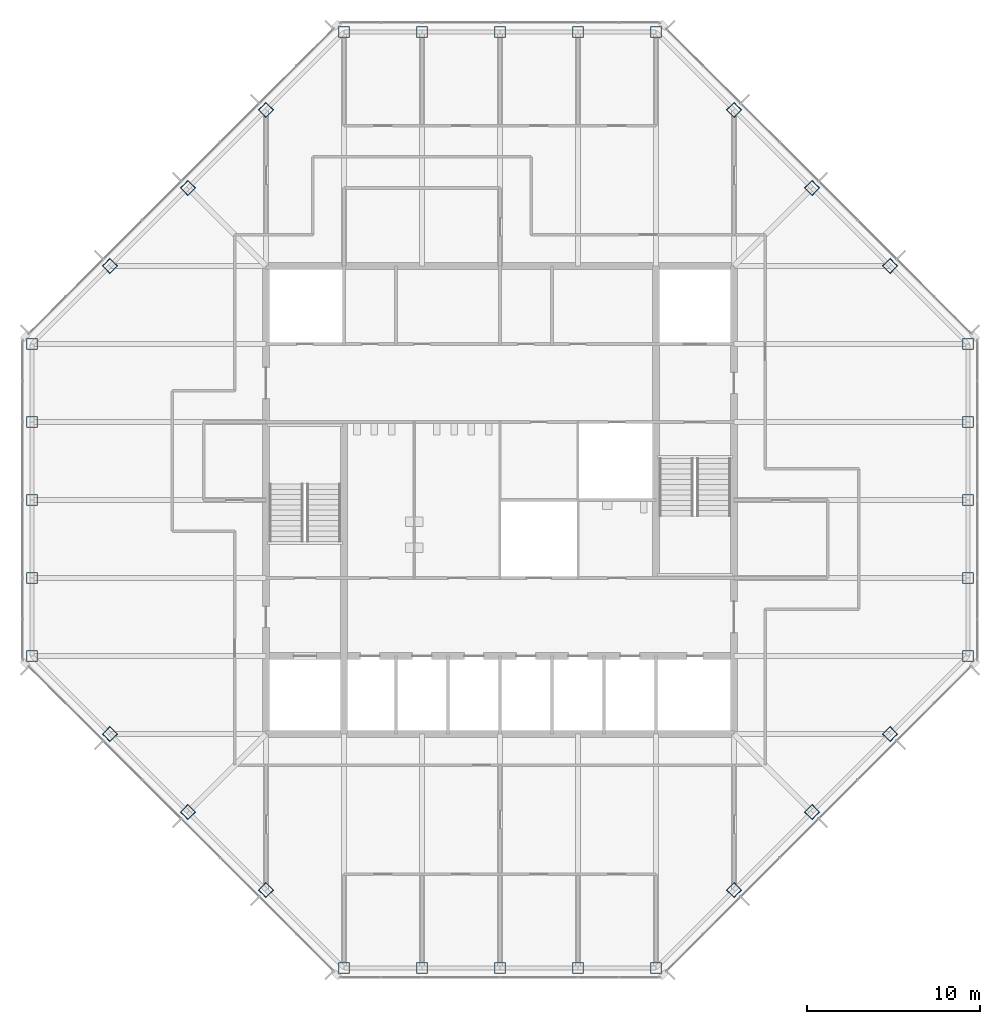
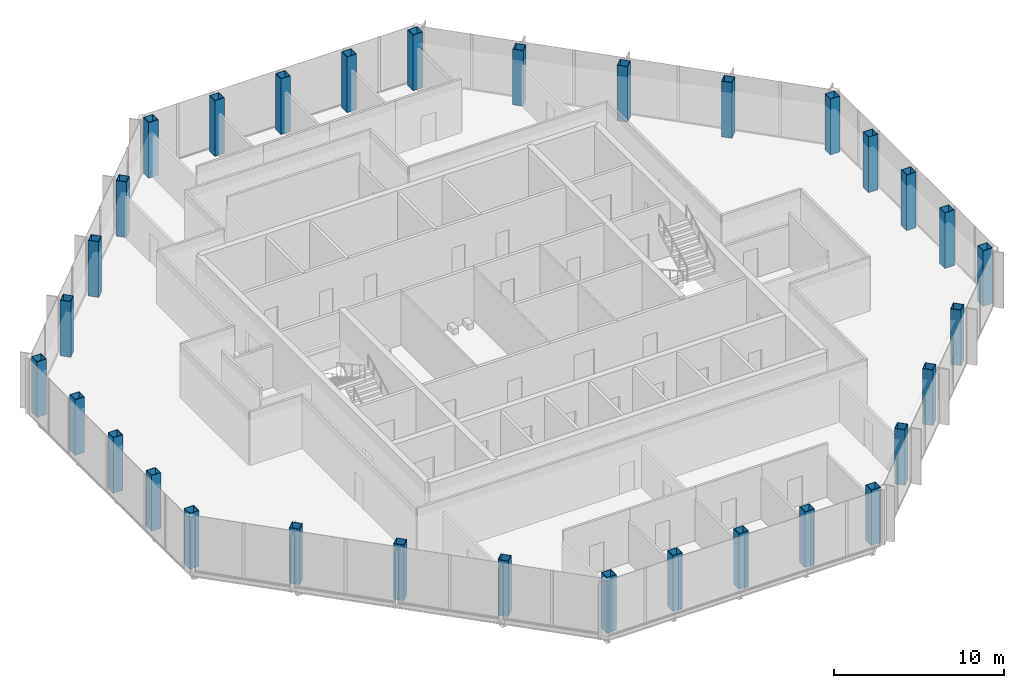
# One storey, part 1 of 14: 32 columns.
"""IFC4 building model written with IfcOpenShell, lengths in metres."""

from ifc_helpers import new_model, si_unit, direction, frame, origin, origin_2d, place, context, subcontext, project, spatial, hollow_rectangle, extrude, material, material_profile, profile_set, type_object, element, save


model = new_model("IFC4")

# Units and contexts
model_context = context("Model", 3, precision=1e-05, world=origin(), true_north=direction((0.0, 1.0)))
body_context = subcontext(model_context, "Body", "Model", "MODEL_VIEW")
ifc_project = project(units=[si_unit("LENGTHUNIT", "METRE"), si_unit("AREAUNIT", "SQUARE_METRE"), si_unit("VOLUMEUNIT", "CUBIC_METRE"), si_unit("PLANEANGLEUNIT", "RADIAN"), si_unit("MASSUNIT", "GRAM", prefix="KILO")], contexts=[model_context])

# Site, building, storey
site_placement = place(None, origin())
site = spatial("IfcSite", under=ifc_project, at=site_placement, CompositionType="ELEMENT")
building_placement = place(site_placement, origin())
building = spatial("IfcBuilding", under=site, at=building_placement, Name="Corais Broadcast Tower", CompositionType="ELEMENT")
storey_placement = place(building_placement, frame((0.0, 0.0, 250.60009765625)))
storey = spatial("IfcBuildingStorey", under=building, at=storey_placement, Name="L58", CompositionType="ELEMENT", Elevation=250.60009765625)

# Columns
ifc_material = material(Name="Steel ASTM A572 Grade 50", Category="steel")
ifc_material_profile = material_profile(ifc_material, hollow_rectangle(XDim=0.64990234375, YDim=0.64990234375, WallThickness=0.031982421875, at=origin_2d()), Name="BOX 650x650x32")
ifc_profile_set = profile_set([ifc_material_profile], Name="Steel ASTM A572 Grade 50")
column_type = type_object("IfcColumnType", Name="Column BOX 650x650x32", PredefinedType="COLUMN", material=ifc_profile_set)
for number, where, z_axis, x_axis, name in (
    (1, (18.0, 0.0, 0.0), (0.0, 0.0, 1.0), (1.0, 0.0, 0.0), "C6 A/7"),
    (2, (22.5, 0.0, 0.0), (0.0, 0.0, 1.0), (1.0, 0.0, 0.0), "C6 A/8"),
    (3, (27.0, 0.0, 0.0), (0.0, 0.0, 1.0), (1.0, 0.0, 0.0), "C6 A/9"),
    (4, (31.5, 0.0, 0.0), (0.0, 0.0, 1.0), (1.0, 0.0, 0.0), "C6 A/10"),
    (5, (36.0, 0.0, 0.0), (0.0, 0.0, 1.0), (1.0, 0.0, 0.0), "C6 A/11"),
    (6, (54.0, 18.0, 0.0), (0.0, 0.0, 1.0), (1.0, 0.0, 0.0), "C6 E/15"),
    (7, (54.0, 22.5, 0.0), (0.0, 0.0, 1.0), (1.0, 0.0, 0.0), "C6 F/15"),
    (8, (54.0, 27.0, 0.0), (0.0, 0.0, 1.0), (1.0, 0.0, 0.0), "C6 G/15"),
    (9, (54.0, 31.5, 0.0), (0.0, 0.0, 1.0), (1.0, 0.0, 0.0), "C6 H/15"),
    (10, (54.0, 36.0, 0.0), (0.0, 0.0, 1.0), (1.0, 0.0, 0.0), "C6 J/15"),
    (11, (36.0, 54.0, 0.0), (0.0, 0.0, 1.0), (1.0, 0.0, 0.0), "C6 N/11"),
    (12, (31.5, 54.0, 0.0), (0.0, 0.0, 1.0), (1.0, 0.0, 0.0), "C6 N/10"),
    (13, (27.0, 54.0, 0.0), (0.0, 0.0, 1.0), (1.0, 0.0, 0.0), "C6 N/9"),
    (14, (22.5, 54.0, 0.0), (0.0, 0.0, 1.0), (1.0, 0.0, 0.0), "C6 N/8"),
    (15, (18.0, 54.0, 0.0), (0.0, 0.0, 1.0), (1.0, 0.0, 0.0), "C6 N/7"),
    (16, (0.0, 36.0, 0.0), (0.0, 0.0, 1.0), (1.0, 0.0, 0.0), "C6 J/3"),
    (17, (0.0, 31.5, 0.0), (0.0, 0.0, 1.0), (1.0, 0.0, 0.0), "C6 H/3"),
    (18, (0.0, 27.0, 0.0), (0.0, 0.0, 1.0), (1.0, 0.0, 0.0), "C6 G/3"),
    (19, (0.0, 22.5, 0.0), (0.0, 0.0, 1.0), (1.0, 0.0, 0.0), "C6 F/3"),
    (20, (0.0, 18.0, 0.0), (0.0, 0.0, 1.0), (1.0, 0.0, 0.0), "C6 E/3"),
    (21, (13.5, 4.5, 0.0), (0.0, 0.0, 1.0), (0.707106781187, 0.707106781187, 0.0), "C6 B/6"),
    (22, (9.0, 9.0, 0.0), (0.0, 0.0, 1.0), (0.707106781187, 0.707106781187, 0.0), "C6 C/5"),
    (23, (4.5, 13.5, 0.0), (0.0, 0.0, 1.0), (0.707106781187, 0.707106781187, 0.0), "C6 D/4"),
    (24, (40.5, 4.5, 0.0), (0.0, 0.0, 1.0), (0.707106781187, 0.707106781187, 0.0), "C6 B/12"),
    (25, (45.0, 9.0, 0.0), (0.0, 0.0, 1.0), (0.707106781187, 0.707106781187, 0.0), "C6 C/13"),
    (26, (49.5, 13.5, 0.0), (0.0, 0.0, 1.0), (0.707106781187, 0.707106781187, 0.0), "C6 D/14"),
    (27, (49.5, 40.5, 0.0), (0.0, 0.0, 1.0), (0.707106781187, 0.707106781187, 0.0), "C6 K/14"),
    (28, (45.0, 45.0, 0.0), (0.0, 0.0, 1.0), (0.707106781187, 0.707106781187, 0.0), "C6 L/13"),
    (29, (40.5, 49.5, 0.0), (0.0, 0.0, 1.0), (0.707106781187, 0.707106781187, 0.0), "C6 M/12"),
    (30, (4.5, 40.5, 0.0), (0.0, 0.0, 1.0), (0.707106781187, 0.707106781187, 0.0), "C6 K/4"),
    (31, (9.0, 45.0, 0.0), (0.0, 0.0, 1.0), (0.707106781187, 0.707106781187, 0.0), "C6 L/5"),
    (32, (13.5, 49.5, 0.0), (0.0, 0.0, 1.0), (0.707106781187, 0.707106781187, 0.0), "C6 M/6"),
):
    element("IfcColumn", number, at=place(storey_placement, frame(where, z_axis=z_axis, x_axis=x_axis)), inside=storey, type_object=column_type, Name=name, PredefinedType="COLUMN", context=body_context, shape_type="SweptSolid", body=[
        extrude(hollow_rectangle(XDim=0.64990234375, YDim=0.64990234375, WallThickness=0.031982421875, at=origin_2d()), origin(), (0.0, 0.0, 1.0), 4.0),
    ])

save(model, "model.ifc")
